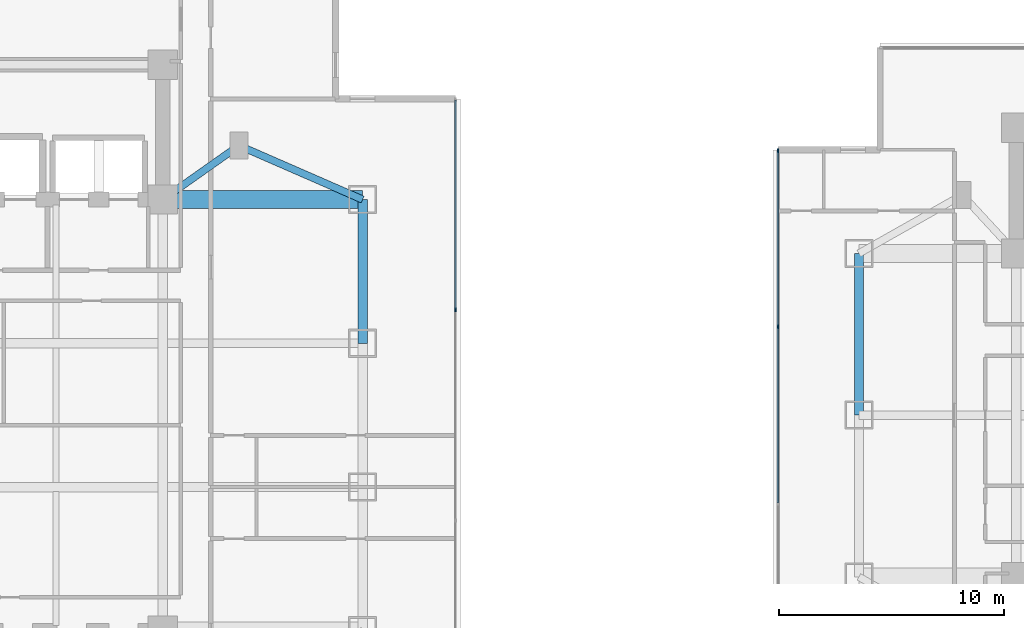
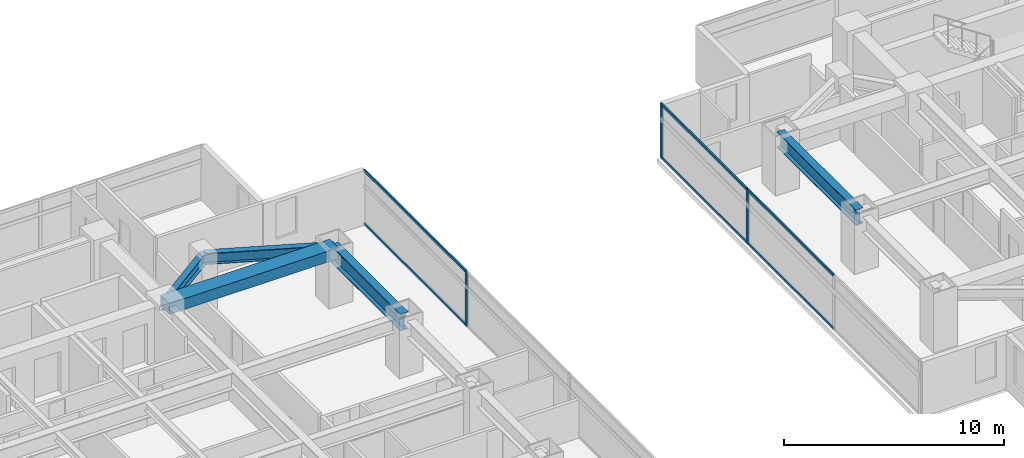
# One storey, part 6 of 27: 9 members, 5 beams, 2 elements without a shape of their own.
"""IFC4 building model written with IfcOpenShell, lengths in metres."""

from ifc_helpers import new_model, si_unit, direction, frame, origin, origin_2d, place, context, subcontext, project, spatial, rectangle, i_section, extrude, material, material_profile, profile_set, type_object, element, aggregate, save


model = new_model("IFC4")

# Units and contexts
model_context = context("Model", 3, precision=1e-05, world=origin(), true_north=direction((0.0, 1.0)))
body_context = subcontext(model_context, "Body", "Model", "MODEL_VIEW")
ifc_project = project(units=[si_unit("LENGTHUNIT", "METRE"), si_unit("AREAUNIT", "SQUARE_METRE"), si_unit("VOLUMEUNIT", "CUBIC_METRE"), si_unit("PLANEANGLEUNIT", "RADIAN"), si_unit("MASSUNIT", "GRAM", prefix="KILO")], contexts=[model_context])

# Site, building, storey
site_placement = place(None, origin())
site = spatial("IfcSite", under=ifc_project, at=site_placement, CompositionType="ELEMENT")
building_placement = place(site_placement, origin())
building = spatial("IfcBuilding", under=site, at=building_placement, Name="Mirazonda Arch Towers", CompositionType="ELEMENT")
storey_placement = place(building_placement, frame((0.0, 0.0, 75.199951171875)))
storey = spatial("IfcBuildingStorey", under=building, at=storey_placement, Name="L21", CompositionType="ELEMENT", Elevation=75.199951171875)

# Beams
ifc_material_1 = material(Name="Steel ASTM A992 Grade 50", Category="steel")
ifc_material_profile_1 = material_profile(ifc_material_1, i_section(OverallWidth=0.39990234375, OverallDepth=0.85595703125, WebThickness=0.018310546875, FlangeThickness=0.029296875, at=origin_2d()), Name="W33X201")
ifc_profile_set_1 = profile_set([ifc_material_profile_1], Name="Steel ASTM A992 Grade 50")
beam_type_1 = type_object("IfcBeamType", Name="BM-EXT-W33X201", PredefinedType="USERDEFINED", material=ifc_profile_set_1)
beam_1_placement = place(storey_placement, frame((61.0, 28.0, 2.632080078125), z_axis=(0.0, 1.0, 0.0), x_axis=(-1.0, 0.0, 0.0)))
element("IfcBeam", 1, at=beam_1_placement, inside=storey, type_object=beam_type_1, Name="L21 Floor Beam BM-T2-L21-NS-W-28", ObjectType="GIRDER", PredefinedType="USERDEFINED", context=body_context, shape_type="SweptSolid", body=[
    extrude(i_section(OverallWidth=0.39990234375, OverallDepth=0.85595703125, WebThickness=0.018310546875, FlangeThickness=0.029296875, at=origin_2d()), origin(), (0.0, 0.0, 1.0), 7.199951171875),
])
ifc_material_profile_2 = material_profile(ifc_material_1, i_section(OverallWidth=0.41796875, OverallDepth=0.927001953125, WebThickness=0.019287109375, FlangeThickness=0.031982421875, at=origin_2d()), Name="W36X231")
ifc_profile_set_2 = profile_set([ifc_material_profile_2], Name="Steel ASTM A992 Grade 50")
beam_type_2 = type_object("IfcBeamType", Name="BM-EXT-W36X231", PredefinedType="USERDEFINED", material=ifc_profile_set_2)
beam_2_placement = place(storey_placement, frame((38.89990234375, 31.199951171875, 2.596435546875), z_axis=(0.0, 1.0, 0.0), x_axis=(-1.0, 0.0, 0.0)))
element("IfcBeam", 2, at=beam_2_placement, inside=storey, type_object=beam_type_2, Name="L21 Floor Beam BM-T1-L21-NS-E-31", ObjectType="GIRDER", PredefinedType="USERDEFINED", context=body_context, shape_type="SweptSolid", body=[
    extrude(i_section(OverallWidth=0.41796875, OverallDepth=0.927001953125, WebThickness=0.019287109375, FlangeThickness=0.031982421875, at=origin_2d()), origin(), (0.0, 0.0, 1.0), 6.400146484375),
])
ifc_material_profile_3 = material_profile(ifc_material_1, i_section(OverallWidth=0.324951171875, OverallDepth=0.615966796875, WebThickness=0.013916015625, FlangeThickness=0.021484375, at=origin_2d()), Name="W24X117")
ifc_profile_set_3 = profile_set([ifc_material_profile_3], Name="Steel ASTM A992 Grade 50")
beam_type_3 = type_object("IfcBeamType", Name="BM-INT-W24X117", PredefinedType="BEAM", material=ifc_profile_set_3)
beam_3_placement = place(storey_placement, frame((33.39990234375, 40.0, 2.751953125), z_axis=(-0.816971114901, -0.576678591087, 0.0), x_axis=(0.576678591087, -0.816971114901, 0.0)))
element("IfcBeam", 3, at=beam_3_placement, inside=storey, type_object=beam_type_3, Name="L21 Floor Beam BM-T1-L21-PL-NE1", PredefinedType="BEAM", context=body_context, shape_type="SweptSolid", body=[
    extrude(i_section(OverallWidth=0.324951171875, OverallDepth=0.615966796875, WebThickness=0.013916015625, FlangeThickness=0.021484375, at=origin_2d()), origin(), (0.0, 0.0, 1.0), 4.16162109375),
])
beam_4_placement = place(storey_placement, frame((33.39990234375, 40.0, 2.751953125), z_axis=(0.916545343703, -0.399930785183, 0.0), x_axis=(0.399930785183, 0.916545343703, 0.0)))
element("IfcBeam", 4, at=beam_4_placement, inside=storey, type_object=beam_type_3, Name="L21 Floor Beam BM-T1-L21-PL-NE2", PredefinedType="BEAM", context=body_context, shape_type="SweptSolid", body=[
    extrude(i_section(OverallWidth=0.324951171875, OverallDepth=0.615966796875, WebThickness=0.013916015625, FlangeThickness=0.021484375, at=origin_2d()), origin(), (0.0, 0.0, 1.0), 6.000732421875),
])
ifc_material_2 = material(Name="Concrete C60/75", Category="concrete")
ifc_material_profile_4 = material_profile(ifc_material_2, rectangle(XDim=0.800048828125, YDim=0.60009765625, at=origin_2d()), Name="RCCB800x600")
ifc_profile_set_4 = profile_set([ifc_material_profile_4], Name="Concrete C60/75")
beam_type_4 = type_object("IfcBeamType", Name="CB-INT-RCCB800x600", PredefinedType="SPANDREL", material=ifc_profile_set_4)
beam_5_placement = place(storey_placement, frame((30.0, 37.60009765625, 2.760009765625), z_axis=(1.0, 0.0, 0.0), x_axis=(0.0, 1.0, 0.0)))
element("IfcBeam", 5, at=beam_5_placement, inside=storey, type_object=beam_type_4, Name="L21 Floor Beam CBC-T1-L21-NE", PredefinedType="SPANDREL", context=body_context, shape_type="SweptSolid", body=[
    extrude(rectangle(XDim=0.800048828125, YDim=0.60009765625, at=origin_2d()), origin(), (0.0, 0.0, 1.0), 8.89990234375),
])

# Curtain wall, member
ifc_material_3 = material(Name="Anodised Aluminium and Low-E Glass", Category="aluminium")
curtain_wall_type = type_object("IfcCurtainWallType", Name="CW-HTL-UNIT", PredefinedType="NOTDEFINED", material=ifc_material_3)
curtain_wall_1_placement = place(storey_placement, origin())
curtain_wall_1 = element("IfcCurtainWall", 6, at=curtain_wall_1_placement, inside=storey, type_object=curtain_wall_type, Name="L21 T1 E Facade CW-L21-T1-E", PredefinedType="NOTDEFINED")
ifc_material_4 = material(Name="Anodised Aluminium Alloy", Category="aluminium")
ifc_material_profile_5 = material_profile(ifc_material_4, rectangle(XDim=0.074951171875, YDim=0.1650390625, at=origin_2d()), Name="ALU-MULL-75x165")
ifc_profile_set_5 = profile_set([ifc_material_profile_5], Name="Anodised Aluminium Alloy")
member_type_1 = type_object("IfcMemberType", Name="MULL-CW-HTL-UNIT", PredefinedType="MULLION", material=ifc_profile_set_5)
member_1_placement = place(storey_placement, frame((43.0400390625, 32.6953125, 0.0), z_axis=(0.0, 0.0, 1.0), x_axis=(-1.0, 0.0, 0.0)))
member_1 = element("IfcMember", 7, at=member_1_placement, type_object=member_type_1, Name="CW-112 mullion 3", PredefinedType="MULLION", context=body_context, shape_type="SweptSolid", body=[
    extrude(rectangle(XDim=0.074951171875, YDim=0.1650390625, at=origin_2d()), origin(), (0.0, 0.0, 1.0), 3.0400390625),
])

# Curtain wall, members
curtain_wall_2_placement = place(storey_placement, origin())
curtain_wall_2 = element("IfcCurtainWall", 8, at=curtain_wall_2_placement, inside=storey, type_object=curtain_wall_type, Name="L21 T2 W Facade CW-L21-T2-W", PredefinedType="NOTDEFINED")
member_2_placement = place(storey_placement, frame((57.39404296875, 39.775634765625, 0.0), z_axis=(0.0, 0.0, 1.0), x_axis=(1.0, 0.0, 0.0)))
member_2 = element("IfcMember", 9, at=member_2_placement, type_object=member_type_1, Name="CW-112 mullion 1", PredefinedType="MULLION", context=body_context, shape_type="SweptSolid", body=[
    extrude(rectangle(XDim=0.074951171875, YDim=0.1650390625, at=origin_2d()), origin(), (0.0, 0.0, 1.0), 3.0400390625),
])
member_3_placement = place(storey_placement, frame((57.39404296875, 31.937744140625, 0.0), z_axis=(0.0, 0.0, 1.0), x_axis=(1.0, 0.0, 0.0)))
member_3 = element("IfcMember", 10, at=member_3_placement, type_object=member_type_1, Name="CW-112 mullion 2", PredefinedType="MULLION", context=body_context, shape_type="SweptSolid", body=[
    extrude(rectangle(XDim=0.074951171875, YDim=0.1650390625, at=origin_2d()), origin(), (0.0, 0.0, 1.0), 3.0400390625),
])

# Member
ifc_material_profile_6 = material_profile(ifc_material_4, rectangle(XDim=0.074951171875, YDim=0.14501953125, at=origin_2d()), Name="ALU-TRAN-75x145")
ifc_profile_set_6 = profile_set([ifc_material_profile_6], Name="Anodised Aluminium Alloy")
member_type_2 = type_object("IfcMemberType", Name="TRAN-CW-HTL-UNIT", PredefinedType="USERDEFINED", material=ifc_profile_set_6)
member_4_placement = place(storey_placement, frame((43.0400390625, 32.73291015625, 0.03759765625), z_axis=(0.0, 1.0, 0.0), x_axis=(-1.0, 0.0, 0.0)))
member_4 = element("IfcMember", 11, at=member_4_placement, type_object=member_type_2, Name="CW-112 transom 3.1", ObjectType="TRANSOM", PredefinedType="USERDEFINED", context=body_context, shape_type="SweptSolid", body=[
    extrude(rectangle(XDim=0.074951171875, YDim=0.14501953125, at=origin_2d()), origin(), (0.0, 0.0, 1.0), 9.278076171875),
])

member_5_placement = place(storey_placement, frame((43.0400390625, 32.73291015625, 3.00244140625), z_axis=(0.0, 1.0, 0.0), x_axis=(-1.0, 0.0, 0.0)))
member_5 = element("IfcMember", 12, at=member_5_placement, type_object=member_type_2, Name="CW-112 transom 3.2", ObjectType="TRANSOM", PredefinedType="USERDEFINED", context=body_context, shape_type="SweptSolid", body=[
    extrude(rectangle(XDim=0.074951171875, YDim=0.14501953125, at=origin_2d()), origin(), (0.0, 0.0, 1.0), 9.278076171875),
])

aggregate(curtain_wall_1, [member_1, member_4, member_5])

member_6_placement = place(storey_placement, frame((57.39404296875, 39.738037109375, 0.03759765625), z_axis=(0.0, -1.0, 0.0), x_axis=(1.0, 0.0, 0.0)))
member_6 = element("IfcMember", 13, at=member_6_placement, type_object=member_type_2, Name="CW-112 transom 1.1", ObjectType="TRANSOM", PredefinedType="USERDEFINED", context=body_context, shape_type="SweptSolid", body=[
    extrude(rectangle(XDim=0.074951171875, YDim=0.14501953125, at=origin_2d()), origin(), (0.0, 0.0, 1.0), 7.762939453125),
])

member_7_placement = place(storey_placement, frame((57.39404296875, 39.738037109375, 3.00244140625), z_axis=(0.0, -1.0, 0.0), x_axis=(1.0, 0.0, 0.0)))
member_7 = element("IfcMember", 14, at=member_7_placement, type_object=member_type_2, Name="CW-112 transom 1.2", ObjectType="TRANSOM", PredefinedType="USERDEFINED", context=body_context, shape_type="SweptSolid", body=[
    extrude(rectangle(XDim=0.074951171875, YDim=0.14501953125, at=origin_2d()), origin(), (0.0, 0.0, 1.0), 7.762939453125),
])

member_8_placement = place(storey_placement, frame((57.39404296875, 31.900146484375, 0.03759765625), z_axis=(0.0, -1.0, 0.0), x_axis=(1.0, 0.0, 0.0)))
member_8 = element("IfcMember", 15, at=member_8_placement, type_object=member_type_2, Name="CW-112 transom 2.1", ObjectType="TRANSOM", PredefinedType="USERDEFINED", context=body_context, shape_type="SweptSolid", body=[
    extrude(rectangle(XDim=0.074951171875, YDim=0.14501953125, at=origin_2d()), origin(), (0.0, 0.0, 1.0), 7.80029296875),
])

member_9_placement = place(storey_placement, frame((57.39404296875, 31.900146484375, 3.00244140625), z_axis=(0.0, -1.0, 0.0), x_axis=(1.0, 0.0, 0.0)))
member_9 = element("IfcMember", 16, at=member_9_placement, type_object=member_type_2, Name="CW-112 transom 2.2", ObjectType="TRANSOM", PredefinedType="USERDEFINED", context=body_context, shape_type="SweptSolid", body=[
    extrude(rectangle(XDim=0.074951171875, YDim=0.14501953125, at=origin_2d()), origin(), (0.0, 0.0, 1.0), 7.80029296875),
])

aggregate(curtain_wall_2, [member_2, member_3, member_6, member_7, member_8, member_9])

save(model, "model.ifc")
